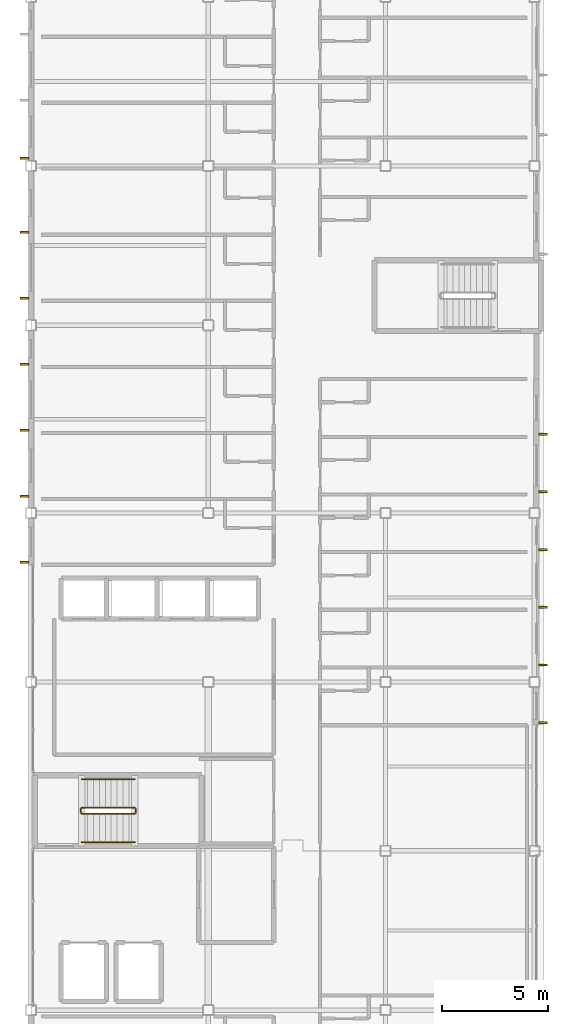
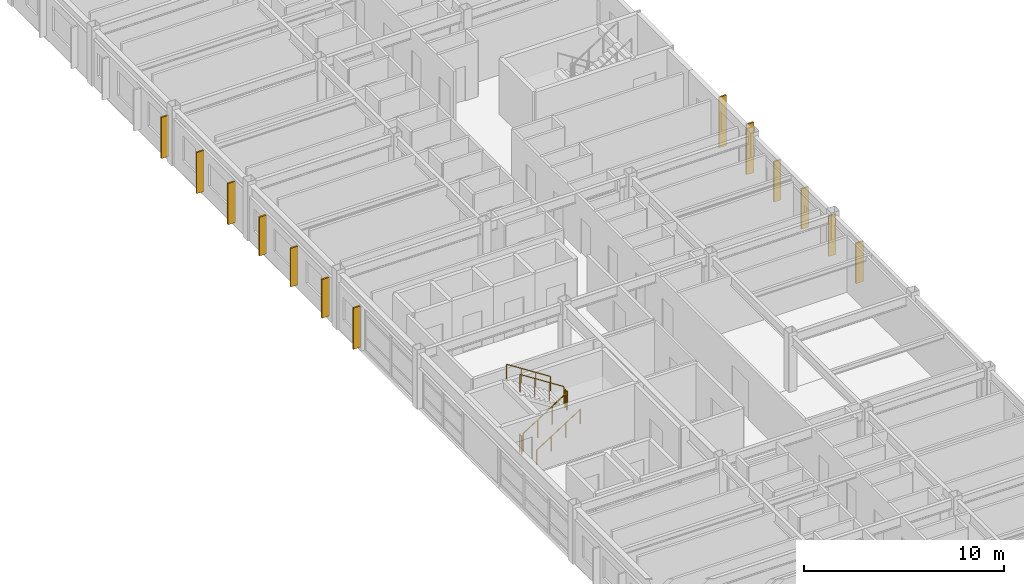
# One storey, part 34 of 35: 13 coverings, 6 railings.
"""IFC4 building model written with IfcOpenShell, lengths in metres."""

from ifc_helpers import new_model, si_unit, direction, frame, origin, origin_2d, place, context, subcontext, project, spatial, rectangle, circle, extrude, material, layer, layer_set, type_object, element, save


model = new_model("IFC4")

# Units and contexts
model_context = context("Model", 3, precision=1e-05, world=origin(), true_north=direction((0.0, 1.0)))
body_context = subcontext(model_context, "Body", "Model", "MODEL_VIEW")
ifc_project = project(units=[si_unit("LENGTHUNIT", "METRE"), si_unit("AREAUNIT", "SQUARE_METRE"), si_unit("VOLUMEUNIT", "CUBIC_METRE"), si_unit("PLANEANGLEUNIT", "RADIAN"), si_unit("MASSUNIT", "GRAM", prefix="KILO")], contexts=[model_context])

# Site, building, storey
site_placement = place(None, origin())
site = spatial("IfcSite", under=ifc_project, at=site_placement, CompositionType="ELEMENT")
building_placement = place(site_placement, origin())
building = spatial("IfcBuilding", under=site, at=building_placement, Name="Kazehara Bluff Congress Hotel", CompositionType="ELEMENT")
storey_placement = place(building_placement, frame((0.0, 0.0, 35.39990234375)))
storey = spatial("IfcBuildingStorey", under=building, at=storey_placement, Name="L08", CompositionType="ELEMENT", Elevation=35.39990234375)

# Coverings
ifc_material_1 = material(Name="Anodised aluminium architectural brise-soleil", Category="aluminium")
ifc_layer = layer(ifc_material_1, 0.090087890625)
ifc_layer_set = layer_set([ifc_layer], Name="Anodised aluminium architectural brise-soleil")
covering_type = type_object("IfcCoveringType", Name="TP-FFN-02", PredefinedType="CLADDING", material=ifc_layer_set)
for number, where, z_axis, x_axis, name in (
    (1, (167.9599609375, 54.52001953125, 0.20263671875), (0.0, 0.0, 1.0), (1.0, 0.0, 0.0), "L08 architectural vertical fin 60"),
    (2, (167.9599609375, 57.2548828125, 0.20263671875), (0.0, 0.0, 1.0), (1.0, 0.0, 0.0), "L08 architectural vertical fin 61"),
    (3, (167.9599609375, 59.985107421875, 0.20263671875), (0.0, 0.0, 1.0), (1.0, 0.0, 0.0), "L08 architectural vertical fin 62"),
    (4, (167.9599609375, 62.719970703125, 0.20263671875), (0.0, 0.0, 1.0), (1.0, 0.0, 0.0), "L08 architectural vertical fin 63"),
):
    element("IfcCovering", number, at=place(storey_placement, frame(where, z_axis=z_axis, x_axis=x_axis)), inside=storey, type_object=covering_type, Name=name, PredefinedType="CLADDING", context=body_context, shape_type="SweptSolid", body=[
        extrude(rectangle(XDim=0.419921875, YDim=0.090087890625, at=origin_2d()), origin(), (0.0, 0.0, 1.0), 2.455078125),
    ])
for number, where, z_axis, x_axis, name in (
    (5, (167.9599609375, 65.455078125, 0.20263671875), (0.0, 0.0, 1.0), (1.0, 0.0, 0.0), "L08 architectural vertical fin 64"),
    (6, (167.9599609375, 68.18505859375, 0.20263671875), (0.0, 0.0, 1.0), (1.0, 0.0, 0.0), "L08 architectural vertical fin 65"),
):
    element("IfcCovering", number, at=place(storey_placement, frame(where, z_axis=z_axis, x_axis=x_axis)), inside=storey, type_object=covering_type, Name=name, PredefinedType="CLADDING", context=body_context, shape_type="SweptSolid", body=[
        extrude(rectangle(XDim=0.419921875, YDim=0.090087890625, at=origin_2d()), origin(), (0.0, 0.0, 1.0), 3.06494140625),
    ])
covering_placement = place(storey_placement, frame((143.389892578125, 62.1201171875, 0.20263671875), z_axis=(0.0, 0.0, 1.0), x_axis=(1.0, 0.0, 0.0)))
element("IfcCovering", 7, at=covering_placement, inside=storey, type_object=covering_type, Name="L08 architectural vertical fin 80", PredefinedType="CLADDING", context=body_context, shape_type="SweptSolid", body=[
    extrude(rectangle(XDim=0.419921875, YDim=0.090087890625, at=origin_2d()), origin(), (0.0, 0.0, 1.0), 2.5048828125),
])
for number, where, z_axis, x_axis, name in (
    (8, (143.389892578125, 65.2451171875, 0.20263671875), (0.0, 0.0, 1.0), (1.0, 0.0, 0.0), "L08 architectural vertical fin 81"),
    (9, (143.389892578125, 68.375, 0.20263671875), (0.0, 0.0, 1.0), (1.0, 0.0, 0.0), "L08 architectural vertical fin 82"),
    (10, (143.389892578125, 71.5, 0.20263671875), (0.0, 0.0, 1.0), (1.0, 0.0, 0.0), "L08 architectural vertical fin 83"),
):
    element("IfcCovering", number, at=place(storey_placement, frame(where, z_axis=z_axis, x_axis=x_axis)), inside=storey, type_object=covering_type, Name=name, PredefinedType="CLADDING", context=body_context, shape_type="SweptSolid", body=[
        extrude(rectangle(XDim=0.419921875, YDim=0.090087890625, at=origin_2d()), origin(), (0.0, 0.0, 1.0), 2.35498046875),
    ])
for number, where, z_axis, x_axis, name in (
    (11, (143.389892578125, 74.6298828125, 0.20263671875), (0.0, 0.0, 1.0), (1.0, 0.0, 0.0), "L08 architectural vertical fin 84"),
    (12, (143.389892578125, 77.7548828125, 0.20263671875), (0.0, 0.0, 1.0), (1.0, 0.0, 0.0), "L08 architectural vertical fin 85"),
    (13, (143.389892578125, 81.27001953125, 0.20263671875), (0.0, 0.0, 1.0), (1.0, 0.0, 0.0), "L08 architectural vertical fin 86"),
):
    element("IfcCovering", number, at=place(storey_placement, frame(where, z_axis=z_axis, x_axis=x_axis)), inside=storey, type_object=covering_type, Name=name, PredefinedType="CLADDING", context=body_context, shape_type="SweptSolid", body=[
        extrude(rectangle(XDim=0.419921875, YDim=0.090087890625, at=origin_2d()), origin(), (0.0, 0.0, 1.0), 2.5048828125),
    ])

# Railings
ifc_material_2 = material(Name="Brushed stainless steel", Category="steel")
railing_type_1 = type_object("IfcRailingType", Name="TP-GRD-INT", PredefinedType="GUARDRAIL", material=ifc_material_2)
railing_1_placement = place(storey_placement, frame((146.10009765625, 50.199951171875, 0.18017578125)))
element("IfcRailing", 14, at=railing_1_placement, inside=storey, type_object=railing_type_1, Name="L08 ST-11 stair guard 1", PredefinedType="GUARDRAIL", context=body_context, shape_type="SweptSolid", body=[
    extrude(circle(Radius=0.02392578125, at=origin_2d()), frame((0.0, 0.0, 1.076171875), z_axis=(0.841199657755, 0.0, 0.540724639528), x_axis=(0.0, 1.0, 0.0)), (0.0, 0.0, 1.0), 2.995849609375),
    extrude(circle(Radius=0.02099609375, at=origin_2d()), origin(), (0.0, 0.0, 1.0), 1.052001953125),
    extrude(circle(Radius=0.02099609375, at=origin_2d()), frame((0.840087890625, 0.0, 0.5400390625)), (0.0, 0.0, 1.0), 1.052001953125),
    extrude(circle(Radius=0.02099609375, at=origin_2d()), frame((1.679931640625, 0.0, 1.079833984375)), (0.0, 0.0, 1.0), 1.052001953125),
    extrude(circle(Radius=0.02099609375, at=origin_2d()), frame((2.52001953125, 0.0, 1.619873046875)), (0.0, 0.0, 1.0), 1.052001953125),
])
railing_2_placement = place(storey_placement, frame((148.669921875, 50.25, 1.800048828125)))
element("IfcRailing", 15, at=railing_2_placement, inside=storey, type_object=railing_type_1, Name="L08 ST-11 stair guard 2", PredefinedType="GUARDRAIL", context=body_context, shape_type="SweptSolid", body=[
    extrude(circle(Radius=0.02392578125, at=origin_2d()), frame((0.0, 0.0, 1.076171875), z_axis=(0.0, 1.0, 0.0), x_axis=(-1.0, 0.0, 0.0)), (0.0, 0.0, 1.0), 0.199951171875),
    extrude(circle(Radius=0.02099609375, at=origin_2d()), origin(), (0.0, 0.0, 1.0), 1.052001953125),
    extrude(circle(Radius=0.02099609375, at=origin_2d()), frame((0.0, 0.199951171875, 0.0)), (0.0, 0.0, 1.0), 1.052001953125),
])
railing_3_placement = place(storey_placement, frame((148.6201171875, 50.5, 1.97998046875)))
element("IfcRailing", 16, at=railing_3_placement, inside=storey, type_object=railing_type_1, Name="L08 ST-11 stair guard 3", PredefinedType="GUARDRAIL", context=body_context, shape_type="SweptSolid", body=[
    extrude(circle(Radius=0.02392578125, at=origin_2d()), frame((0.0, 0.0, 1.076171875), z_axis=(-0.841162588446, 0.0, 0.540782303519), x_axis=(0.0, -1.0, 0.0)), (0.0, 0.0, 1.0), 2.995849609375),
    extrude(circle(Radius=0.02099609375, at=origin_2d()), origin(), (0.0, 0.0, 1.0), 1.052001953125),
    extrude(circle(Radius=0.02099609375, at=origin_2d()), frame((-0.840087890625, 0.0, 0.5400390625)), (0.0, 0.0, 1.0), 1.052001953125),
    extrude(circle(Radius=0.02099609375, at=origin_2d()), frame((-1.679931640625, 0.0, 1.080078125)), (0.0, 0.0, 1.0), 1.052001953125),
    extrude(circle(Radius=0.02099609375, at=origin_2d()), frame((-2.52001953125, 0.0, 1.6201171875)), (0.0, 0.0, 1.0), 1.052001953125),
])
railing_4_placement = place(storey_placement, frame((146.050048828125, 50.25, 0.0)))
element("IfcRailing", 17, at=railing_4_placement, inside=storey, type_object=railing_type_1, Name="L08 ST-11 stair guard 4", PredefinedType="GUARDRAIL", context=body_context, shape_type="SweptSolid", body=[
    extrude(circle(Radius=0.02392578125, at=origin_2d()), frame((0.0, 0.0, 1.076171875), z_axis=(0.0, 1.0, 0.0), x_axis=(-1.0, 0.0, 0.0)), (0.0, 0.0, 1.0), 0.199951171875),
    extrude(circle(Radius=0.02099609375, at=origin_2d()), origin(), (0.0, 0.0, 1.0), 1.052001953125),
    extrude(circle(Radius=0.02099609375, at=origin_2d()), frame((0.0, 0.199951171875, 0.0)), (0.0, 0.0, 1.0), 1.052001953125),
])
ifc_material_3 = material(Name="Brushed stainless steel", Category="steel")
railing_type_2 = type_object("IfcRailingType", Name="TP-HR-INT", PredefinedType="HANDRAIL", material=ifc_material_3)
railing_5_placement = place(storey_placement, frame((146.10009765625, 48.85009765625, 0.18017578125)))
element("IfcRailing", 18, at=railing_5_placement, inside=storey, type_object=railing_type_2, Name="L08 ST-11 stair handrail 1", PredefinedType="HANDRAIL", context=body_context, shape_type="SweptSolid", body=[
    extrude(circle(Radius=0.02392578125, at=origin_2d()), frame((0.0, 0.0, 0.8759765625), z_axis=(0.841199657755, 0.0, 0.540724639528), x_axis=(0.0, 1.0, 0.0)), (0.0, 0.0, 1.0), 2.995849609375),
    extrude(circle(Radius=0.02099609375, at=origin_2d()), origin(), (0.0, 0.0, 1.0), 0.851806640625),
    extrude(circle(Radius=0.02099609375, at=origin_2d()), frame((0.840087890625, 0.0, 0.5400390625)), (0.0, 0.0, 1.0), 0.851806640625),
    extrude(circle(Radius=0.02099609375, at=origin_2d()), frame((1.679931640625, 0.0, 1.079833984375)), (0.0, 0.0, 1.0), 0.851806640625),
    extrude(circle(Radius=0.02099609375, at=origin_2d()), frame((2.52001953125, 0.0, 1.619873046875)), (0.0, 0.0, 1.0), 0.851806640625),
])
railing_6_placement = place(storey_placement, frame((148.6201171875, 51.85009765625, 1.97998046875)))
element("IfcRailing", 19, at=railing_6_placement, inside=storey, type_object=railing_type_2, Name="L08 ST-11 stair handrail 2", PredefinedType="HANDRAIL", context=body_context, shape_type="SweptSolid", body=[
    extrude(circle(Radius=0.02392578125, at=origin_2d()), frame((0.0, 0.0, 0.8759765625), z_axis=(-0.841162588446, 0.0, 0.540782303519), x_axis=(0.0, -1.0, 0.0)), (0.0, 0.0, 1.0), 2.995849609375),
    extrude(circle(Radius=0.02099609375, at=origin_2d()), origin(), (0.0, 0.0, 1.0), 0.851806640625),
    extrude(circle(Radius=0.02099609375, at=origin_2d()), frame((-0.840087890625, 0.0, 0.5400390625)), (0.0, 0.0, 1.0), 0.851806640625),
    extrude(circle(Radius=0.02099609375, at=origin_2d()), frame((-1.679931640625, 0.0, 1.080078125)), (0.0, 0.0, 1.0), 0.851806640625),
    extrude(circle(Radius=0.02099609375, at=origin_2d()), frame((-2.52001953125, 0.0, 1.6201171875)), (0.0, 0.0, 1.0), 0.851806640625),
])

save(model, "model.ifc")
